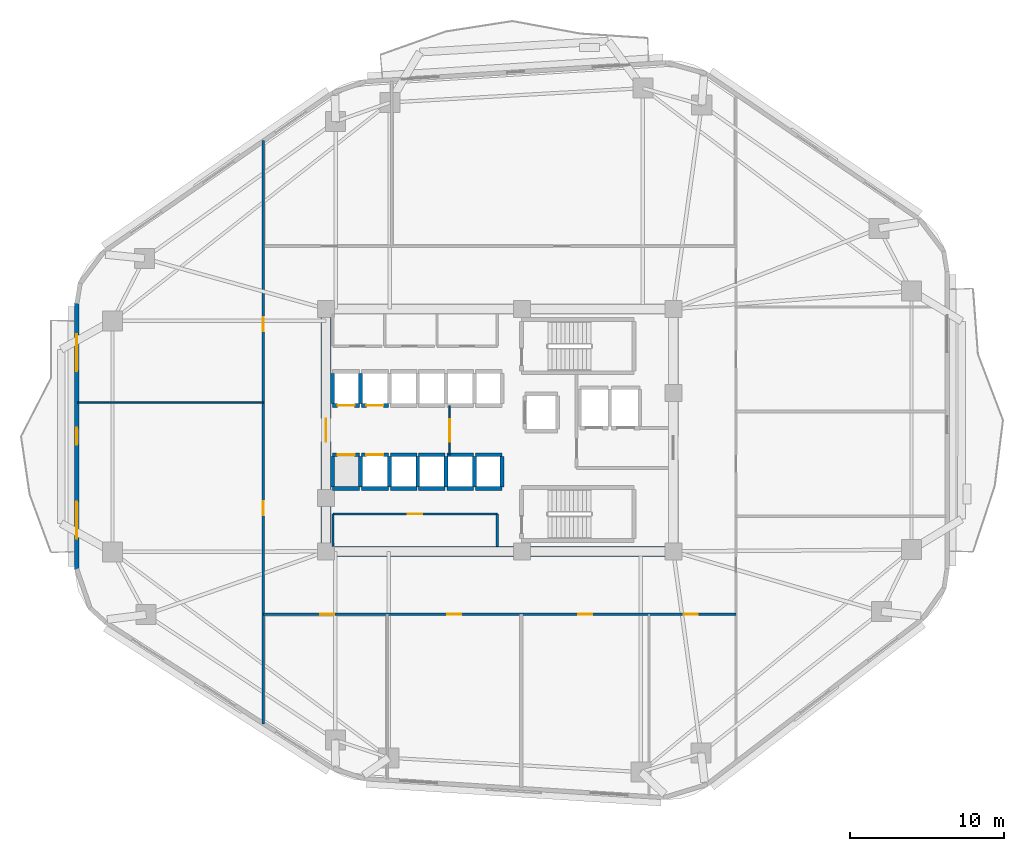
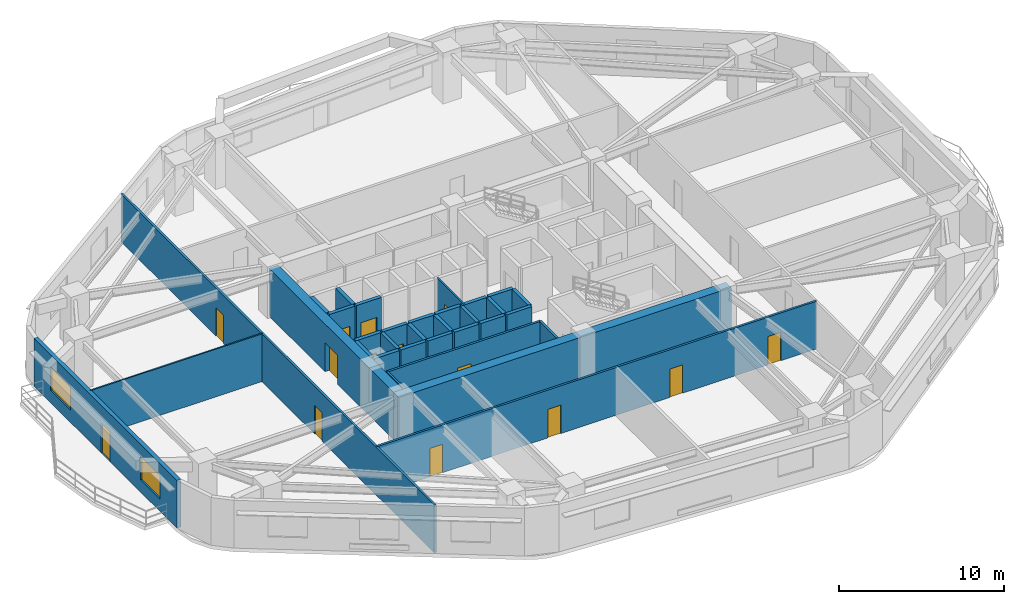
# One storey, part 3 of 10: 33 walls, 14 doors, 2 windows, 16 openings.
"""IFC4 building model written with IfcOpenShell, lengths in metres."""

from ifc_helpers import new_model, si_unit, direction, frame, frame_2d, origin, place, context, subcontext, project, spatial, rectangle, extrude, material, layer, layer_set, type_object, element, fill, save


model = new_model("IFC4")

# Units and contexts
model_context = context("Model", 3, precision=1e-05, world=origin(), true_north=direction((0.0, 1.0)))
body_context = subcontext(model_context, "Body", "Model", "MODEL_VIEW")
ifc_project = project(units=[si_unit("LENGTHUNIT", "METRE"), si_unit("AREAUNIT", "SQUARE_METRE"), si_unit("VOLUMEUNIT", "CUBIC_METRE"), si_unit("PLANEANGLEUNIT", "RADIAN"), si_unit("MASSUNIT", "GRAM", prefix="KILO")], contexts=[model_context])

# Site, building, storey
site_placement = place(None, origin())
site = spatial("IfcSite", under=ifc_project, at=site_placement, CompositionType="ELEMENT")
building_placement = place(site_placement, origin())
building = spatial("IfcBuilding", under=site, at=building_placement, Name="Zulverin Broadcast Headquarters", CompositionType="ELEMENT")
storey_placement = place(building_placement, frame((0.0, 0.0, 66.800048828125)))
storey = spatial("IfcBuildingStorey", under=building, at=storey_placement, Name="L16", CompositionType="ELEMENT", Elevation=66.800048828125)

# Wall
ifc_material_1 = material(Name="Concrete C60/75", Category="concrete")
ifc_layer_1 = layer(ifc_material_1, 0.64990234375, Name="Concrete C60/75", Category="concrete")
ifc_layer_set_1 = layer_set([ifc_layer_1], Name="Concrete C60/75")
wall_type_1 = type_object("IfcWallType", Name="WL-CORE-650", PredefinedType="SHEAR", material=ifc_layer_set_1)
wall_1_placement = place(storey_placement, frame((25.39990234375, 17.324951171875, 0.0), z_axis=(0.0, 0.0, 1.0), x_axis=(1.0, 0.0, 0.0)))
element("IfcWall", 1, at=wall_1_placement, inside=storey, type_object=wall_type_1, Name="L16 Core South Shear Wall", PredefinedType="SHEAR", context=body_context, shape_type="SweptSolid", body=[
    extrude(rectangle(XDim=23.2001953125, YDim=0.64990234375, at=frame_2d((11.60009765625, 0.0))), origin(), (0.0, 0.0, 1.0), 3.52490234375),
])

# Wall, opening, door
wall_2_placement = place(storey_placement, frame((25.72509765625, 17.64990234375, 0.0), z_axis=(0.0, 0.0, 1.0), x_axis=(0.0, 1.0, 0.0)))
wall_2 = element("IfcWall", 2, at=wall_2_placement, inside=storey, type_object=wall_type_1, Name="L16 Core West Shear Wall", PredefinedType="SHEAR", context=body_context, shape_type="SweptSolid", body=[
    extrude(rectangle(XDim=15.10009765625, YDim=0.64990234375, at=frame_2d((7.550048828125, 0.0))), origin(), (0.0, 0.0, 1.0), 3.52490234375),
])
opening_1_placement = place(wall_2_placement, frame((6.800048828125, 0.0, 0.0)))
opening_1 = element("IfcOpeningElement", 3, at=opening_1_placement, cuts=wall_2, Name="Opening D-L16-CW1", PredefinedType="OPENING", context=body_context, shape_type="SweptSolid", body=[
    extrude(rectangle(XDim=1.5, YDim=2.14990234375, at=frame_2d((0.75, 1.074951171875))), frame((0.0, 0.3349609375, 0.0), z_axis=(0.0, -1.0, 0.0), x_axis=(1.0, 0.0, 0.0)), (0.0, 0.0, 1.0), 0.669921875),
])
ifc_material_2 = material(Name="Fire-rated glazed steel frame", Category="steel")
door_type_1 = type_object("IfcDoorType", Name="DR-COR-1500", OperationType="DOUBLE_DOOR_SINGLE_SWING", PredefinedType="DOOR", material=ifc_material_2)
door_1_placement = place(opening_1_placement, origin())
door_1 = element("IfcDoor", 4, at=door_1_placement, inside=storey, type_object=door_type_1, Name="L16 Central Lift Lobby West Portal Door", OperationType="DOUBLE_DOOR_SINGLE_SWING", OverallHeight=2.14990234375, OverallWidth=1.5, PredefinedType="DOOR", context=body_context, shape_type="SweptSolid", body=[
    extrude(rectangle(XDim=1.5, YDim=2.14990234375, at=frame_2d((0.75, 1.074951171875))), frame((0.0, 0.02490234375, 0.0), z_axis=(0.0, -1.0, 0.0), x_axis=(1.0, 0.0, 0.0)), (0.0, 0.0, 1.0), 0.050048828125),
])
fill(opening_1, door_1)

# Wall, openings, door, windows
ifc_material_3 = material(Name="Insulated pale-metal clad concrete spandrel C40/50", Category="concrete")
ifc_layer_2 = layer(ifc_material_3, 0.280029296875, Name="Insulated pale-metal clad concrete spandrel C40/50", Category="concrete")
ifc_layer_set_2 = layer_set([ifc_layer_2], Name="Insulated pale-metal clad concrete spandrel C40/50")
wall_type_2 = type_object("IfcWallType", Name="WL-EXT-280", PredefinedType="STANDARD", material=ifc_layer_set_2)
wall_3_placement = place(storey_placement, frame((9.5400390625, 33.4443359375, 0.0), z_axis=(0.0, 0.0, 1.0), x_axis=(0.0, -1.0, 0.0)))
wall_3 = element("IfcWall", 5, at=wall_3_placement, inside=storey, type_object=wall_type_2, Name="L16 Pale-Metal Clad Spandrel Wall 7", PredefinedType="STANDARD", context=body_context, shape_type="SweptSolid", body=[
    extrude(rectangle(XDim=17.30078125, YDim=0.280029296875, at=frame_2d((8.650390625, 0.0))), origin(), (0.0, 0.0, 1.0), 3.52490234375),
])
opening_2_placement = place(wall_3_placement, frame((8.100341796875, 0.0, 0.0)))
opening_2 = element("IfcOpeningElement", 6, at=opening_2_placement, cuts=wall_3, Name="Opening D-L16-TR7", PredefinedType="OPENING", context=body_context, shape_type="SweptSolid", body=[
    extrude(rectangle(XDim=1.10009765625, YDim=2.199951171875, at=frame_2d((0.550048828125, 1.10009765625))), frame((0.0, 0.14990234375, 0.0), z_axis=(0.0, -1.0, 0.0), x_axis=(1.0, 0.0, 0.0)), (0.0, 0.0, 1.0), 0.300048828125),
])
opening_3_placement = place(wall_3_placement, frame((2.016845703125, 0.0, 0.89990234375)))
opening_3 = element("IfcOpeningElement", 7, at=opening_3_placement, cuts=wall_3, Name="Opening W-L16-E71", PredefinedType="OPENING", context=body_context, shape_type="SweptSolid", body=[
    extrude(rectangle(XDim=2.39990234375, YDim=1.75, at=frame_2d((1.199951171875, 0.875))), frame((0.0, 0.14990234375, 0.0), z_axis=(0.0, -1.0, 0.0), x_axis=(1.0, 0.0, 0.0)), (0.0, 0.0, 1.0), 0.300048828125),
])
opening_4_placement = place(wall_3_placement, frame((12.884033203125, 0.0, 0.89990234375)))
opening_4 = element("IfcOpeningElement", 8, at=opening_4_placement, cuts=wall_3, Name="Opening W-L16-E72", PredefinedType="OPENING", context=body_context, shape_type="SweptSolid", body=[
    extrude(rectangle(XDim=2.39990234375, YDim=1.75, at=frame_2d((1.199951171875, 0.875))), frame((0.0, 0.14990234375, 0.0), z_axis=(0.0, -1.0, 0.0), x_axis=(1.0, 0.0, 0.0)), (0.0, 0.0, 1.0), 0.300048828125),
])
ifc_material_4 = material(Name="Thermally broken aluminium glazed", Category="aluminium")
door_type_2 = type_object("IfcDoorType", Name="DR-TERR-1100", OperationType="SINGLE_SWING_RIGHT", PredefinedType="DOOR", material=ifc_material_4)
door_2_placement = place(opening_2_placement, origin())
door_2 = element("IfcDoor", 9, at=door_2_placement, inside=storey, type_object=door_type_2, Name="L16 Planted Terrace Glazed Access Door 7", OperationType="SINGLE_SWING_RIGHT", OverallHeight=2.199951171875, OverallWidth=1.10009765625, PredefinedType="DOOR", context=body_context, shape_type="SweptSolid", body=[
    extrude(rectangle(XDim=1.10009765625, YDim=2.199951171875, at=frame_2d((0.550048828125, 1.10009765625))), frame((0.0, 0.02490234375, 0.0), z_axis=(0.0, -1.0, 0.0), x_axis=(1.0, 0.0, 0.0)), (0.0, 0.0, 1.0), 0.050048828125),
])
fill(opening_2, door_2)
ifc_material_5 = material(Name="Pale anodized aluminium frame with solar-control low-E double glazing", Category="aluminium")
window_type = type_object("IfcWindowType", Name="WIN-RIB-2400", PartitioningType="SINGLE_PANEL", PredefinedType="WINDOW", material=ifc_material_5)
window_1_placement = place(opening_3_placement, origin())
window_1 = element("IfcWindow", 10, at=window_1_placement, inside=storey, type_object=window_type, Name="L16 Ribbon Glazing Window 7 1", OverallHeight=1.75, OverallWidth=2.39990234375, PartitioningType="SINGLE_PANEL", PredefinedType="WINDOW", context=body_context, shape_type="SweptSolid", body=[
    extrude(rectangle(XDim=2.39990234375, YDim=1.75, at=frame_2d((1.199951171875, 0.875))), frame((0.0, 0.030029296875, 0.0), z_axis=(0.0, -1.0, 0.0), x_axis=(1.0, 0.0, 0.0)), (0.0, 0.0, 1.0), 0.06005859375),
])
fill(opening_3, window_1)
window_2_placement = place(opening_4_placement, origin())
window_2 = element("IfcWindow", 11, at=window_2_placement, inside=storey, type_object=window_type, Name="L16 Ribbon Glazing Window 7 2", OverallHeight=1.75, OverallWidth=2.39990234375, PartitioningType="SINGLE_PANEL", PredefinedType="WINDOW", context=body_context, shape_type="SweptSolid", body=[
    extrude(rectangle(XDim=2.39990234375, YDim=1.75, at=frame_2d((1.199951171875, 0.875))), frame((0.0, 0.030029296875, 0.0), z_axis=(0.0, -1.0, 0.0), x_axis=(1.0, 0.0, 0.0)), (0.0, 0.0, 1.0), 0.06005859375),
])
fill(opening_4, window_2)

# Wall, opening, door
ifc_material_6 = material(Name="Fire-rated acoustic laminated glass screen", Category="glass")
ifc_layer_3 = layer(ifc_material_6, 0.10009765625, Name="Fire-rated acoustic laminated glass screen", Category="glass")
ifc_layer_set_3 = layer_set([ifc_layer_3], Name="Fire-rated acoustic laminated glass screen")
wall_type_3 = type_object("IfcWallType", Name="WL-GLAZ-100", PredefinedType="PARTITIONING", material=ifc_layer_set_3)
wall_4_placement = place(storey_placement, frame((33.75, 23.60009765625, 0.0), z_axis=(0.0, 0.0, 1.0), x_axis=(0.0, 1.0, 0.0)))
wall_4 = element("IfcWall", 12, at=wall_4_placement, inside=storey, type_object=wall_type_3, Name="L16 Core Lobby Acoustic Screen", PredefinedType="PARTITIONING", context=body_context, shape_type="SweptSolid", body=[
    extrude(rectangle(XDim=3.199951171875, YDim=0.10009765625, at=frame_2d((1.60009765625, 0.0))), origin(), (0.0, 0.0, 1.0), 3.52490234375),
])
opening_5_placement = place(wall_4_placement, frame((0.85009765625, 0.0, 0.0)))
opening_5 = element("IfcOpeningElement", 13, at=opening_5_placement, cuts=wall_4, Name="Opening D-L16-CL1", PredefinedType="OPENING", context=body_context, shape_type="SweptSolid", body=[
    extrude(rectangle(XDim=1.449951171875, YDim=2.1201171875, at=frame_2d((0.72509765625, 1.06005859375))), frame((0.0, 0.06005859375, 0.0), z_axis=(0.0, -1.0, 0.0), x_axis=(1.0, 0.0, 0.0)), (0.0, 0.0, 1.0), 0.1201171875),
])
ifc_material_7 = material(Name="Fire-rated acoustic glazed double leaf", Category="glass")
door_type_3 = type_object("IfcDoorType", Name="DR-GLZ-1450", OperationType="DOUBLE_DOOR_SINGLE_SWING", PredefinedType="DOOR", material=ifc_material_7)
door_3_placement = place(opening_5_placement, origin())
door_3 = element("IfcDoor", 14, at=door_3_placement, inside=storey, type_object=door_type_3, Name="L16 Core Lobby Vestibule Door", OperationType="DOUBLE_DOOR_SINGLE_SWING", OverallHeight=2.1201171875, OverallWidth=1.449951171875, PredefinedType="DOOR", context=body_context, shape_type="SweptSolid", body=[
    extrude(rectangle(XDim=1.449951171875, YDim=2.1201171875, at=frame_2d((0.72509765625, 1.06005859375))), frame((0.0, 0.02490234375, 0.0), z_axis=(0.0, -1.0, 0.0), x_axis=(1.0, 0.0, 0.0)), (0.0, 0.0, 1.0), 0.050048828125),
])
fill(opening_5, door_3)

# Wall
wall_5_placement = place(storey_placement, frame((9.60498046875, 27.0, 0.0), z_axis=(0.0, 0.0, 1.0), x_axis=(1.0, 0.0, 0.0)))
element("IfcWall", 15, at=wall_5_placement, inside=storey, type_object=wall_type_3, Name="L16 Room Partition Wall RP-10", PredefinedType="PARTITIONING", context=body_context, shape_type="SweptSolid", body=[
    extrude(rectangle(XDim=12.044921875, YDim=0.10009765625, at=frame_2d((6.0224609375, 0.0))), origin(), (0.0, 0.0, 1.0), 3.52490234375),
])

# Wall, opening, door
ifc_material_8 = material(Name="Fire-rated gypsum stud partition", Category="gypsum")
ifc_layer_4 = layer(ifc_material_8, 0.14990234375, Name="Fire-rated gypsum stud partition", Category="gypsum")
ifc_layer_set_4 = layer_set([ifc_layer_4], Name="Fire-rated gypsum stud partition")
wall_type_4 = type_object("IfcWallType", Name="WL-PART-150", PredefinedType="PARTITIONING", material=ifc_layer_set_4)
wall_6_placement = place(storey_placement, frame((26.169921875, 19.75, 0.0), z_axis=(0.0, 0.0, 1.0), x_axis=(1.0, 0.0, 0.0)))
wall_6 = element("IfcWall", 16, at=wall_6_placement, inside=storey, type_object=wall_type_4, Name="L16 Core Female WC & Facilities Room Front Wall", PredefinedType="PARTITIONING", context=body_context, shape_type="SweptSolid", body=[
    extrude(rectangle(XDim=10.68017578125, YDim=0.14990234375, at=frame_2d((5.340087890625, 0.0))), origin(), (0.0, 0.0, 1.0), 3.52490234375),
])
opening_6_placement = place(wall_6_placement, frame((4.864990234375, 0.0, 0.0)))
opening_6 = element("IfcOpeningElement", 17, at=opening_6_placement, cuts=wall_6, Name="Opening D-L16-SC1", PredefinedType="OPENING", context=body_context, shape_type="SweptSolid", body=[
    extrude(rectangle(XDim=0.949951171875, YDim=2.10009765625, at=frame_2d((0.47509765625, 1.050048828125))), frame((0.0, 0.0849609375, 0.0), z_axis=(0.0, -1.0, 0.0), x_axis=(1.0, 0.0, 0.0)), (0.0, 0.0, 1.0), 0.169921875),
])
ifc_material_9 = material(Name="Fire-rated moisture-resistant laminate leaf", Category="wood")
door_type_4 = type_object("IfcDoorType", Name="DR-WC-950", OperationType="SINGLE_SWING_LEFT", PredefinedType="DOOR", material=ifc_material_9)
door_4_placement = place(opening_6_placement, origin())
door_4 = element("IfcDoor", 18, at=door_4_placement, inside=storey, type_object=door_type_4, Name="L16 Female WC & Facilities Room Door", OperationType="SINGLE_SWING_RIGHT", OverallHeight=2.10009765625, OverallWidth=0.949951171875, PredefinedType="DOOR", context=body_context, shape_type="SweptSolid", body=[
    extrude(rectangle(XDim=0.949951171875, YDim=2.10009765625, at=frame_2d((0.47509765625, 1.050048828125))), frame((0.0, 0.02490234375, 0.0), z_axis=(0.0, -1.0, 0.0), x_axis=(1.0, 0.0, 0.0)), (0.0, 0.0, 1.0), 0.050048828125),
])
fill(opening_6, door_4)

# Walls
for number, where, z_axis, x_axis, name in (
    (19, (26.169921875, 17.64990234375, 0.0), (0.0, 0.0, 1.0), (0.0, 1.0, 0.0), "L16 Core Female WC & Facilities Room West Wall"),
    (20, (36.85009765625, 17.64990234375, 0.0), (0.0, 0.0, 1.0), (0.0, 1.0, 0.0), "L16 Core Female WC & Facilities Room East Wall"),
):
    element("IfcWall", number, at=place(storey_placement, frame(where, z_axis=z_axis, x_axis=x_axis)), inside=storey, type_object=wall_type_4, Name=name, PredefinedType="PARTITIONING", context=body_context, shape_type="SweptSolid", body=[
        extrude(rectangle(XDim=2.10009765625, YDim=0.14990234375, at=frame_2d((1.050048828125, 0.0))), origin(), (0.0, 0.0, 1.0), 3.52490234375),
    ])

# Wall, openings, doors
wall_7_placement = place(storey_placement, frame((21.64990234375, 6.118896484375, 0.0), z_axis=(0.0, 0.0, 1.0), x_axis=(0.0, 1.0, 0.0)))
wall_7 = element("IfcWall", 21, at=wall_7_placement, inside=storey, type_object=wall_type_4, Name="L16 Gallery Partition Wall CG-06", PredefinedType="PARTITIONING", context=body_context, shape_type="SweptSolid", body=[
    extrude(rectangle(XDim=37.884033203125, YDim=0.14990234375, at=frame_2d((18.94189453125, 0.0))), origin(), (0.0, 0.0, 1.0), 3.52490234375),
])
opening_7_placement = place(wall_7_placement, frame((13.55615234375, 0.0, 0.0)))
opening_7 = element("IfcOpeningElement", 22, at=opening_7_placement, cuts=wall_7, Name="Opening D-L16-07", PredefinedType="OPENING", context=body_context, shape_type="SweptSolid", body=[
    extrude(rectangle(XDim=0.89990234375, YDim=2.10009765625, at=frame_2d((0.449951171875, 1.050048828125))), frame((0.0, 0.0849609375, 0.0), z_axis=(0.0, -1.0, 0.0), x_axis=(1.0, 0.0, 0.0)), (0.0, 0.0, 1.0), 0.169921875),
])
opening_8_placement = place(wall_7_placement, frame((25.506103515625, 0.0, 0.0)))
opening_8 = element("IfcOpeningElement", 23, at=opening_8_placement, cuts=wall_7, Name="Opening D-L16-08", PredefinedType="OPENING", context=body_context, shape_type="SweptSolid", body=[
    extrude(rectangle(XDim=0.89990234375, YDim=2.10009765625, at=frame_2d((0.449951171875, 1.050048828125))), frame((0.0, 0.0849609375, 0.0), z_axis=(0.0, -1.0, 0.0), x_axis=(1.0, 0.0, 0.0)), (0.0, 0.0, 1.0), 0.169921875),
])
ifc_material_10 = material(Name="Fire-rated hardwood veneer timber leaf", Category="wood")
door_type_5 = type_object("IfcDoorType", Name="DR-ROOM-900", OperationType="SINGLE_SWING_RIGHT", PredefinedType="DOOR", material=ifc_material_10)
door_5_placement = place(opening_7_placement, origin())
door_5 = element("IfcDoor", 24, at=door_5_placement, inside=storey, type_object=door_type_5, Name="L16 Staff Cafe Door", OperationType="SINGLE_SWING_RIGHT", OverallHeight=2.10009765625, OverallWidth=0.89990234375, PredefinedType="DOOR", context=body_context, shape_type="SweptSolid", body=[
    extrude(rectangle(XDim=0.89990234375, YDim=2.10009765625, at=frame_2d((0.449951171875, 1.050048828125))), frame((0.0, 0.02490234375, 0.0), z_axis=(0.0, -1.0, 0.0), x_axis=(1.0, 0.0, 0.0)), (0.0, 0.0, 1.0), 0.050048828125),
])
fill(opening_7, door_5)
door_6_placement = place(opening_8_placement, origin())
door_6 = element("IfcDoor", 25, at=door_6_placement, inside=storey, type_object=door_type_5, Name="L16 Tea Pantry Door", OperationType="SINGLE_SWING_LEFT", OverallHeight=2.10009765625, OverallWidth=0.89990234375, PredefinedType="DOOR", context=body_context, shape_type="SweptSolid", body=[
    extrude(rectangle(XDim=0.89990234375, YDim=2.10009765625, at=frame_2d((0.449951171875, 1.050048828125))), frame((0.0, 0.02490234375, 0.0), z_axis=(0.0, -1.0, 0.0), x_axis=(1.0, 0.0, 0.0)), (0.0, 0.0, 1.0), 0.050048828125),
])
fill(opening_8, door_6)

wall_8_placement = place(storey_placement, frame((21.64990234375, 13.25, 0.0), z_axis=(0.0, 0.0, 1.0), x_axis=(1.0, 0.0, 0.0)))
wall_8 = element("IfcWall", 26, at=wall_8_placement, inside=storey, type_object=wall_type_4, Name="L16 Gallery Partition Wall CG-07", PredefinedType="PARTITIONING", context=body_context, shape_type="SweptSolid", body=[
    extrude(rectangle(XDim=30.7001953125, YDim=0.14990234375, at=frame_2d((15.35009765625, 0.0))), origin(), (0.0, 0.0, 1.0), 3.52490234375),
])
opening_9_placement = place(wall_8_placement, frame((3.695068359375, 0.0, 0.0)))
opening_9 = element("IfcOpeningElement", 27, at=opening_9_placement, cuts=wall_8, Name="Opening D-L16-03", PredefinedType="OPENING", context=body_context, shape_type="SweptSolid", body=[
    extrude(rectangle(XDim=0.89990234375, YDim=2.10009765625, at=frame_2d((0.449951171875, 1.050048828125))), frame((0.0, 0.0849609375, 0.0), z_axis=(0.0, -1.0, 0.0), x_axis=(1.0, 0.0, 0.0)), (0.0, 0.0, 1.0), 0.169921875),
])
opening_10_placement = place(wall_8_placement, frame((11.949951171875, 0.0, 0.0)))
opening_10 = element("IfcOpeningElement", 28, at=opening_10_placement, cuts=wall_8, Name="Opening D-L16-04", PredefinedType="OPENING", context=body_context, shape_type="SweptSolid", body=[
    extrude(rectangle(XDim=0.89990234375, YDim=2.10009765625, at=frame_2d((0.449951171875, 1.050048828125))), frame((0.0, 0.0849609375, 0.0), z_axis=(0.0, -1.0, 0.0), x_axis=(1.0, 0.0, 0.0)), (0.0, 0.0, 1.0), 0.169921875),
])
opening_11_placement = place(wall_8_placement, frame((20.449951171875, 0.0, 0.0)))
opening_11 = element("IfcOpeningElement", 29, at=opening_11_placement, cuts=wall_8, Name="Opening D-L16-05", PredefinedType="OPENING", context=body_context, shape_type="SweptSolid", body=[
    extrude(rectangle(XDim=0.89990234375, YDim=2.10009765625, at=frame_2d((0.449951171875, 1.050048828125))), frame((0.0, 0.0849609375, 0.0), z_axis=(0.0, -1.0, 0.0), x_axis=(1.0, 0.0, 0.0)), (0.0, 0.0, 1.0), 0.169921875),
])
opening_12_placement = place(wall_8_placement, frame((27.304931640625, 0.0, 0.0)))
opening_12 = element("IfcOpeningElement", 30, at=opening_12_placement, cuts=wall_8, Name="Opening D-L16-06", PredefinedType="OPENING", context=body_context, shape_type="SweptSolid", body=[
    extrude(rectangle(XDim=0.89990234375, YDim=2.10009765625, at=frame_2d((0.449951171875, 1.050048828125))), frame((0.0, 0.0849609375, 0.0), z_axis=(0.0, -1.0, 0.0), x_axis=(1.0, 0.0, 0.0)), (0.0, 0.0, 1.0), 0.169921875),
])
door_7_placement = place(opening_9_placement, origin())
door_7 = element("IfcDoor", 31, at=door_7_placement, inside=storey, type_object=door_type_5, Name="L16 Colour Review Suite Door", OperationType="SINGLE_SWING_RIGHT", OverallHeight=2.10009765625, OverallWidth=0.89990234375, PredefinedType="DOOR", context=body_context, shape_type="SweptSolid", body=[
    extrude(rectangle(XDim=0.89990234375, YDim=2.10009765625, at=frame_2d((0.449951171875, 1.050048828125))), frame((0.0, 0.02490234375, 0.0), z_axis=(0.0, -1.0, 0.0), x_axis=(1.0, 0.0, 0.0)), (0.0, 0.0, 1.0), 0.050048828125),
])
fill(opening_9, door_7)
door_8_placement = place(opening_10_placement, origin())
door_8 = element("IfcDoor", 32, at=door_8_placement, inside=storey, type_object=door_type_5, Name="L16 Boardroom Door", OperationType="SINGLE_SWING_LEFT", OverallHeight=2.10009765625, OverallWidth=0.89990234375, PredefinedType="DOOR", context=body_context, shape_type="SweptSolid", body=[
    extrude(rectangle(XDim=0.89990234375, YDim=2.10009765625, at=frame_2d((0.449951171875, 1.050048828125))), frame((0.0, 0.02490234375, 0.0), z_axis=(0.0, -1.0, 0.0), x_axis=(1.0, 0.0, 0.0)), (0.0, 0.0, 1.0), 0.050048828125),
])
fill(opening_10, door_8)
door_9_placement = place(opening_11_placement, origin())
door_9 = element("IfcDoor", 33, at=door_9_placement, inside=storey, type_object=door_type_5, Name="L16 Broadcast Museum Gallery Door", OperationType="SINGLE_SWING_RIGHT", OverallHeight=2.10009765625, OverallWidth=0.89990234375, PredefinedType="DOOR", context=body_context, shape_type="SweptSolid", body=[
    extrude(rectangle(XDim=0.89990234375, YDim=2.10009765625, at=frame_2d((0.449951171875, 1.050048828125))), frame((0.0, 0.02490234375, 0.0), z_axis=(0.0, -1.0, 0.0), x_axis=(1.0, 0.0, 0.0)), (0.0, 0.0, 1.0), 0.050048828125),
])
fill(opening_11, door_9)
door_10_placement = place(opening_12_placement, origin())
door_10 = element("IfcDoor", 34, at=door_10_placement, inside=storey, type_object=door_type_5, Name="L16 Staff Fitness Gym Door", OperationType="SINGLE_SWING_LEFT", OverallHeight=2.10009765625, OverallWidth=0.89990234375, PredefinedType="DOOR", context=body_context, shape_type="SweptSolid", body=[
    extrude(rectangle(XDim=0.89990234375, YDim=2.10009765625, at=frame_2d((0.449951171875, 1.050048828125))), frame((0.0, 0.02490234375, 0.0), z_axis=(0.0, -1.0, 0.0), x_axis=(1.0, 0.0, 0.0)), (0.0, 0.0, 1.0), 0.050048828125),
])
fill(opening_12, door_10)

# Wall, opening, door
ifc_material_11 = material(Name="Concrete C50/60", Category="concrete")
ifc_layer_5 = layer(ifc_material_11, 0.25, Name="Concrete C50/60", Category="concrete")
ifc_layer_set_5 = layer_set([ifc_layer_5], Name="Concrete C50/60")
wall_type_5 = type_object("IfcWallType", Name="WL-SHAFT-250", PredefinedType="SHEAR", material=ifc_layer_set_5)
wall_9_placement = place(storey_placement, frame((26.14990234375, 26.800048828125, 0.0), z_axis=(0.0, 0.0, 1.0), x_axis=(1.0, 0.0, 0.0)))
wall_9 = element("IfcWall", 35, at=wall_9_placement, inside=storey, type_object=wall_type_5, Name="L16 Lift PL-L1 Shaft Wall S", PredefinedType="SHEAR", context=body_context, shape_type="SweptSolid", body=[
    extrude(rectangle(XDim=1.75, YDim=0.25, at=frame_2d((0.875, 0.0))), origin(), (0.0, 0.0, 1.0), 3.52490234375),
])
opening_13_placement = place(wall_9_placement, frame((0.324951171875, 0.0, 0.0)))
opening_13 = element("IfcOpeningElement", 36, at=opening_13_placement, cuts=wall_9, Name="Opening LD-PL-L1-L16", PredefinedType="OPENING", context=body_context, shape_type="SweptSolid", body=[
    extrude(rectangle(XDim=1.10009765625, YDim=2.14990234375, at=frame_2d((0.550048828125, 1.074951171875))), frame((0.0, 0.135009765625, 0.0), z_axis=(0.0, -1.0, 0.0), x_axis=(1.0, 0.0, 0.0)), (0.0, 0.0, 1.0), 0.27001953125),
])
ifc_material_12 = material(Name="Brushed stainless steel landing", Category="steel")
door_type_6 = type_object("IfcDoorType", Name="LD-PASS-1100", OperationType="DOUBLE_DOOR_SLIDING", PredefinedType="DOOR", material=ifc_material_12)
door_11_placement = place(opening_13_placement, origin())
door_11 = element("IfcDoor", 37, at=door_11_placement, inside=storey, type_object=door_type_6, Name="L16 Lift PL-L1 Sliding Landing Door", OperationType="DOUBLE_DOOR_SLIDING", OverallHeight=2.14990234375, OverallWidth=1.10009765625, PredefinedType="DOOR", context=body_context, shape_type="SweptSolid", body=[
    extrude(rectangle(XDim=1.10009765625, YDim=2.14990234375, at=frame_2d((0.550048828125, 1.074951171875))), frame((0.0, 0.02490234375, 0.0), z_axis=(0.0, -1.0, 0.0), x_axis=(1.0, 0.0, 0.0)), (0.0, 0.0, 1.0), 0.050048828125),
])
fill(opening_13, door_11)

# Walls
for number, where, z_axis, x_axis, name in (
    (38, (26.14990234375, 26.919921875, 0.0), (0.0, 0.0, 1.0), (0.0, 1.0, 0.0), "L16 Lift PL-L1 Shaft Wall W"),
    (39, (27.9599609375, 26.919921875, 0.0), (0.0, 0.0, 1.0), (0.0, 1.0, 0.0), "L16 Lift PL-L1 Shaft Wall E"),
):
    element("IfcWall", number, at=place(storey_placement, frame(where, z_axis=z_axis, x_axis=x_axis)), inside=storey, type_object=wall_type_5, Name=name, PredefinedType="SHEAR", context=body_context, shape_type="SweptSolid", body=[
        extrude(rectangle(XDim=1.9599609375, YDim=0.25, at=frame_2d((0.97998046875, 0.0))), origin(), (0.0, 0.0, 1.0), 3.52490234375),
    ])

# Wall, opening, door
wall_10_placement = place(storey_placement, frame((28.02001953125, 26.800048828125, 0.0), z_axis=(0.0, 0.0, 1.0), x_axis=(1.0, 0.0, 0.0)))
wall_10 = element("IfcWall", 40, at=wall_10_placement, inside=storey, type_object=wall_type_5, Name="L16 Lift PL-L2 Shaft Wall S", PredefinedType="SHEAR", context=body_context, shape_type="SweptSolid", body=[
    extrude(rectangle(XDim=1.75, YDim=0.25, at=frame_2d((0.875, 0.0))), origin(), (0.0, 0.0, 1.0), 3.52490234375),
])
opening_14_placement = place(wall_10_placement, frame((0.324951171875, 0.0, 0.0)))
opening_14 = element("IfcOpeningElement", 41, at=opening_14_placement, cuts=wall_10, Name="Opening LD-PL-L2-L16", PredefinedType="OPENING", context=body_context, shape_type="SweptSolid", body=[
    extrude(rectangle(XDim=1.10009765625, YDim=2.14990234375, at=frame_2d((0.550048828125, 1.074951171875))), frame((0.0, 0.135009765625, 0.0), z_axis=(0.0, -1.0, 0.0), x_axis=(1.0, 0.0, 0.0)), (0.0, 0.0, 1.0), 0.27001953125),
])
door_12_placement = place(opening_14_placement, origin())
door_12 = element("IfcDoor", 42, at=door_12_placement, inside=storey, type_object=door_type_6, Name="L16 Lift PL-L2 Sliding Landing Door", OperationType="DOUBLE_DOOR_SLIDING", OverallHeight=2.14990234375, OverallWidth=1.10009765625, PredefinedType="DOOR", context=body_context, shape_type="SweptSolid", body=[
    extrude(rectangle(XDim=1.10009765625, YDim=2.14990234375, at=frame_2d((0.550048828125, 1.074951171875))), frame((0.0, 0.02490234375, 0.0), z_axis=(0.0, -1.0, 0.0), x_axis=(1.0, 0.0, 0.0)), (0.0, 0.0, 1.0), 0.050048828125),
])
fill(opening_14, door_12)

# Wall
wall_11_placement = place(storey_placement, frame((26.14990234375, 21.39990234375, 0.0), z_axis=(0.0, 0.0, 1.0), x_axis=(1.0, 0.0, 0.0)))
element("IfcWall", 43, at=wall_11_placement, inside=storey, type_object=wall_type_5, Name="L16 Lift PL-L3 Shaft Wall S", PredefinedType="SHEAR", context=body_context, shape_type="SweptSolid", body=[
    extrude(rectangle(XDim=1.75, YDim=0.25, at=frame_2d((0.875, 0.0))), origin(), (0.0, 0.0, 1.0), 3.52490234375),
])

# Wall, opening, door
wall_12_placement = place(storey_placement, frame((26.14990234375, 23.60009765625, 0.0), z_axis=(0.0, 0.0, 1.0), x_axis=(1.0, 0.0, 0.0)))
wall_12 = element("IfcWall", 44, at=wall_12_placement, inside=storey, type_object=wall_type_5, Name="L16 Lift PL-L3 Shaft Wall N", PredefinedType="SHEAR", context=body_context, shape_type="SweptSolid", body=[
    extrude(rectangle(XDim=1.75, YDim=0.25, at=frame_2d((0.875, 0.0))), origin(), (0.0, 0.0, 1.0), 3.52490234375),
])
opening_15_placement = place(wall_12_placement, frame((0.324951171875, 0.0, 0.0)))
opening_15 = element("IfcOpeningElement", 45, at=opening_15_placement, cuts=wall_12, Name="Opening LD-PL-L3-L16", PredefinedType="OPENING", context=body_context, shape_type="SweptSolid", body=[
    extrude(rectangle(XDim=1.10009765625, YDim=2.14990234375, at=frame_2d((0.550048828125, 1.074951171875))), frame((0.0, 0.135009765625, 0.0), z_axis=(0.0, -1.0, 0.0), x_axis=(1.0, 0.0, 0.0)), (0.0, 0.0, 1.0), 0.27001953125),
])
door_13_placement = place(opening_15_placement, origin())
door_13 = element("IfcDoor", 46, at=door_13_placement, inside=storey, type_object=door_type_6, Name="L16 Lift PL-L3 Sliding Landing Door", OperationType="DOUBLE_DOOR_SLIDING", OverallHeight=2.14990234375, OverallWidth=1.10009765625, PredefinedType="DOOR", context=body_context, shape_type="SweptSolid", body=[
    extrude(rectangle(XDim=1.10009765625, YDim=2.14990234375, at=frame_2d((0.550048828125, 1.074951171875))), frame((0.0, 0.02490234375, 0.0), z_axis=(0.0, -1.0, 0.0), x_axis=(1.0, 0.0, 0.0)), (0.0, 0.0, 1.0), 0.050048828125),
])
fill(opening_15, door_13)

# Walls
for number, where, z_axis, x_axis, name in (
    (47, (26.14990234375, 21.52001953125, 0.0), (0.0, 0.0, 1.0), (0.0, 1.0, 0.0), "L16 Lift PL-L3 Shaft Wall W"),
    (48, (27.9599609375, 21.52001953125, 0.0), (0.0, 0.0, 1.0), (0.0, 1.0, 0.0), "L16 Lift PL-L3 Shaft Wall E"),
):
    element("IfcWall", number, at=place(storey_placement, frame(where, z_axis=z_axis, x_axis=x_axis)), inside=storey, type_object=wall_type_5, Name=name, PredefinedType="SHEAR", context=body_context, shape_type="SweptSolid", body=[
        extrude(rectangle(XDim=1.9599609375, YDim=0.25, at=frame_2d((0.97998046875, 0.0))), origin(), (0.0, 0.0, 1.0), 3.52490234375),
    ])
wall_13_placement = place(storey_placement, frame((28.02001953125, 21.39990234375, 0.0), z_axis=(0.0, 0.0, 1.0), x_axis=(1.0, 0.0, 0.0)))
element("IfcWall", 49, at=wall_13_placement, inside=storey, type_object=wall_type_5, Name="L16 Lift PL-L4 Shaft Wall S", PredefinedType="SHEAR", context=body_context, shape_type="SweptSolid", body=[
    extrude(rectangle(XDim=1.75, YDim=0.25, at=frame_2d((0.875, 0.0))), origin(), (0.0, 0.0, 1.0), 3.52490234375),
])

# Wall, opening, door
wall_14_placement = place(storey_placement, frame((28.02001953125, 23.60009765625, 0.0), z_axis=(0.0, 0.0, 1.0), x_axis=(1.0, 0.0, 0.0)))
wall_14 = element("IfcWall", 50, at=wall_14_placement, inside=storey, type_object=wall_type_5, Name="L16 Lift PL-L4 Shaft Wall N", PredefinedType="SHEAR", context=body_context, shape_type="SweptSolid", body=[
    extrude(rectangle(XDim=1.75, YDim=0.25, at=frame_2d((0.875, 0.0))), origin(), (0.0, 0.0, 1.0), 3.52490234375),
])
opening_16_placement = place(wall_14_placement, frame((0.324951171875, 0.0, 0.0)))
opening_16 = element("IfcOpeningElement", 51, at=opening_16_placement, cuts=wall_14, Name="Opening LD-PL-L4-L16", PredefinedType="OPENING", context=body_context, shape_type="SweptSolid", body=[
    extrude(rectangle(XDim=1.10009765625, YDim=2.14990234375, at=frame_2d((0.550048828125, 1.074951171875))), frame((0.0, 0.135009765625, 0.0), z_axis=(0.0, -1.0, 0.0), x_axis=(1.0, 0.0, 0.0)), (0.0, 0.0, 1.0), 0.27001953125),
])
door_14_placement = place(opening_16_placement, origin())
door_14 = element("IfcDoor", 52, at=door_14_placement, inside=storey, type_object=door_type_6, Name="L16 Lift PL-L4 Sliding Landing Door", OperationType="DOUBLE_DOOR_SLIDING", OverallHeight=2.14990234375, OverallWidth=1.10009765625, PredefinedType="DOOR", context=body_context, shape_type="SweptSolid", body=[
    extrude(rectangle(XDim=1.10009765625, YDim=2.14990234375, at=frame_2d((0.550048828125, 1.074951171875))), frame((0.0, 0.02490234375, 0.0), z_axis=(0.0, -1.0, 0.0), x_axis=(1.0, 0.0, 0.0)), (0.0, 0.0, 1.0), 0.050048828125),
])
fill(opening_16, door_14)

# Walls
wall_15_placement = place(storey_placement, frame((29.8349609375, 21.52001953125, 0.0), z_axis=(0.0, 0.0, 1.0), x_axis=(0.0, 1.0, 0.0)))
element("IfcWall", 53, at=wall_15_placement, inside=storey, type_object=wall_type_5, Name="L16 Lift PL-L4 Shaft Wall E", PredefinedType="SHEAR", context=body_context, shape_type="SweptSolid", body=[
    extrude(rectangle(XDim=1.9599609375, YDim=0.25, at=frame_2d((0.97998046875, 0.0))), origin(), (0.0, 0.0, 1.0), 3.52490234375),
])
for number, where, z_axis, x_axis, name in (
    (54, (29.89990234375, 21.39990234375, 0.0), (0.0, 0.0, 1.0), (1.0, 0.0, 0.0), "L16 Lift PL-M1 Shaft Wall S"),
    (55, (29.89990234375, 23.60009765625, 0.0), (0.0, 0.0, 1.0), (1.0, 0.0, 0.0), "L16 Lift PL-M1 Shaft Wall N"),
):
    element("IfcWall", number, at=place(storey_placement, frame(where, z_axis=z_axis, x_axis=x_axis)), inside=storey, type_object=wall_type_5, Name=name, PredefinedType="SHEAR", context=body_context, shape_type="SweptSolid", body=[
        extrude(rectangle(XDim=1.72021484375, YDim=0.25, at=frame_2d((0.860107421875, 0.0))), origin(), (0.0, 0.0, 1.0), 3.52490234375),
    ])
wall_16_placement = place(storey_placement, frame((31.679931640625, 21.52001953125, 0.0), z_axis=(0.0, 0.0, 1.0), x_axis=(0.0, 1.0, 0.0)))
element("IfcWall", 56, at=wall_16_placement, inside=storey, type_object=wall_type_5, Name="L16 Lift PL-M1 Shaft Wall E", PredefinedType="SHEAR", context=body_context, shape_type="SweptSolid", body=[
    extrude(rectangle(XDim=1.9599609375, YDim=0.25, at=frame_2d((0.97998046875, 0.0))), origin(), (0.0, 0.0, 1.0), 3.52490234375),
])
for number, where, z_axis, x_axis, name in (
    (57, (31.739990234375, 21.39990234375, 0.0), (0.0, 0.0, 1.0), (1.0, 0.0, 0.0), "L16 Lift PL-M2 Shaft Wall S"),
    (58, (31.739990234375, 23.60009765625, 0.0), (0.0, 0.0, 1.0), (1.0, 0.0, 0.0), "L16 Lift PL-M2 Shaft Wall N"),
):
    element("IfcWall", number, at=place(storey_placement, frame(where, z_axis=z_axis, x_axis=x_axis)), inside=storey, type_object=wall_type_5, Name=name, PredefinedType="SHEAR", context=body_context, shape_type="SweptSolid", body=[
        extrude(rectangle(XDim=1.719970703125, YDim=0.25, at=frame_2d((0.85986328125, 0.0))), origin(), (0.0, 0.0, 1.0), 3.52490234375),
    ])
wall_17_placement = place(storey_placement, frame((33.52001953125, 21.52001953125, 0.0), z_axis=(0.0, 0.0, 1.0), x_axis=(0.0, 1.0, 0.0)))
element("IfcWall", 59, at=wall_17_placement, inside=storey, type_object=wall_type_5, Name="L16 Lift PL-M2 Shaft Wall E", PredefinedType="SHEAR", context=body_context, shape_type="SweptSolid", body=[
    extrude(rectangle(XDim=1.9599609375, YDim=0.25, at=frame_2d((0.97998046875, 0.0))), origin(), (0.0, 0.0, 1.0), 3.52490234375),
])
for number, where, z_axis, x_axis, name in (
    (60, (33.580078125, 21.39990234375, 0.0), (0.0, 0.0, 1.0), (1.0, 0.0, 0.0), "L16 Lift PL-M3 Shaft Wall S"),
    (61, (33.580078125, 23.60009765625, 0.0), (0.0, 0.0, 1.0), (1.0, 0.0, 0.0), "L16 Lift PL-M3 Shaft Wall N"),
):
    element("IfcWall", number, at=place(storey_placement, frame(where, z_axis=z_axis, x_axis=x_axis)), inside=storey, type_object=wall_type_5, Name=name, PredefinedType="SHEAR", context=body_context, shape_type="SweptSolid", body=[
        extrude(rectangle(XDim=1.719970703125, YDim=0.25, at=frame_2d((0.85986328125, 0.0))), origin(), (0.0, 0.0, 1.0), 3.52490234375),
    ])
wall_18_placement = place(storey_placement, frame((35.360107421875, 21.52001953125, 0.0), z_axis=(0.0, 0.0, 1.0), x_axis=(0.0, 1.0, 0.0)))
element("IfcWall", 62, at=wall_18_placement, inside=storey, type_object=wall_type_5, Name="L16 Lift PL-M3 Shaft Wall E", PredefinedType="SHEAR", context=body_context, shape_type="SweptSolid", body=[
    extrude(rectangle(XDim=1.9599609375, YDim=0.25, at=frame_2d((0.97998046875, 0.0))), origin(), (0.0, 0.0, 1.0), 3.52490234375),
])
for number, where, z_axis, x_axis, name in (
    (63, (35.419921875, 21.39990234375, 0.0), (0.0, 0.0, 1.0), (1.0, 0.0, 0.0), "L16 Lift PL-M4 Shaft Wall S"),
    (64, (35.419921875, 23.60009765625, 0.0), (0.0, 0.0, 1.0), (1.0, 0.0, 0.0), "L16 Lift PL-M4 Shaft Wall N"),
):
    element("IfcWall", number, at=place(storey_placement, frame(where, z_axis=z_axis, x_axis=x_axis)), inside=storey, type_object=wall_type_5, Name=name, PredefinedType="SHEAR", context=body_context, shape_type="SweptSolid", body=[
        extrude(rectangle(XDim=1.719970703125, YDim=0.25, at=frame_2d((0.85986328125, 0.0))), origin(), (0.0, 0.0, 1.0), 3.52490234375),
    ])
wall_19_placement = place(storey_placement, frame((37.139892578125, 21.52001953125, 0.0), z_axis=(0.0, 0.0, 1.0), x_axis=(0.0, 1.0, 0.0)))
element("IfcWall", 65, at=wall_19_placement, inside=storey, type_object=wall_type_5, Name="L16 Lift PL-M4 Shaft Wall E", PredefinedType="SHEAR", context=body_context, shape_type="SweptSolid", body=[
    extrude(rectangle(XDim=1.9599609375, YDim=0.25, at=frame_2d((0.97998046875, 0.0))), origin(), (0.0, 0.0, 1.0), 3.52490234375),
])

save(model, "model.ifc")
